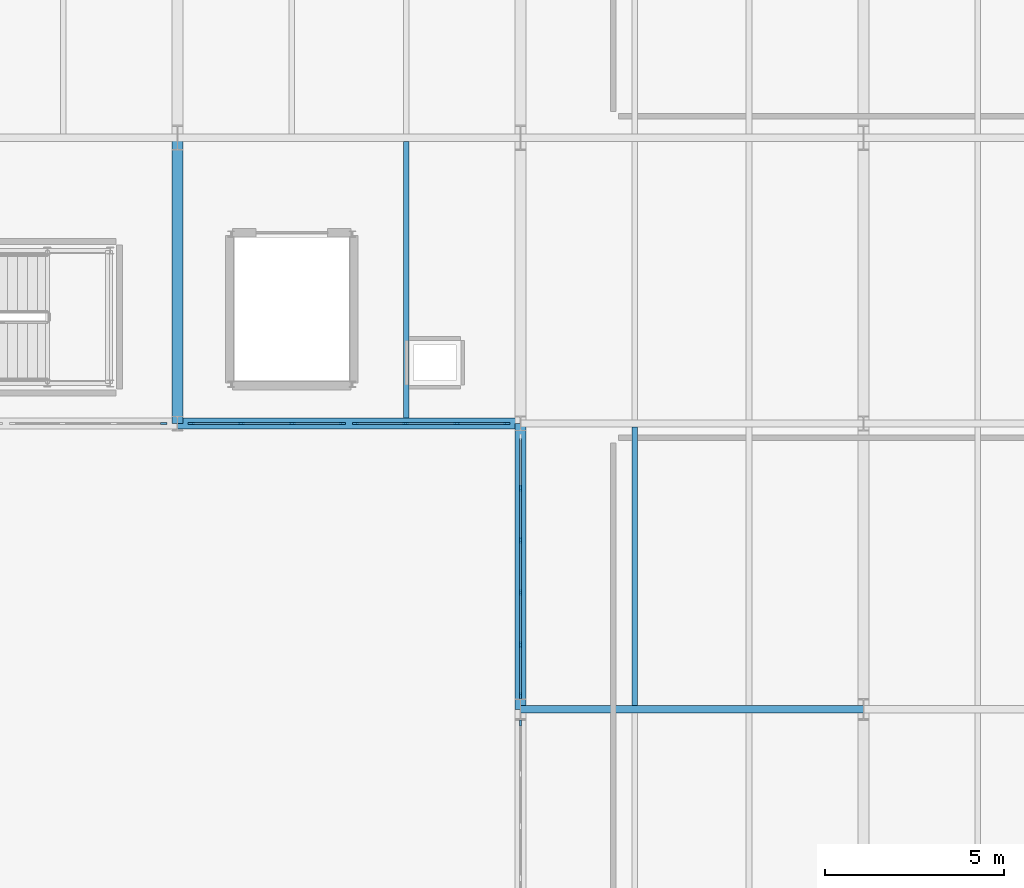
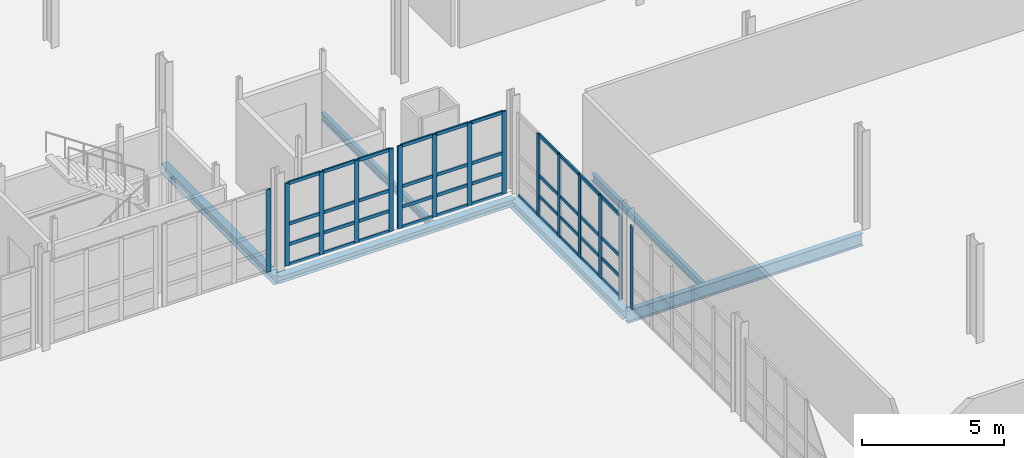
# One storey, part 45 of 78: 56 members, 6 beams, 5 elements without a shape of their own.
"""IFC4 building model written with IfcOpenShell, lengths in metres."""

import ifcopenshell
import ifcopenshell.guid

model = None  # the IFC model being written
_history = None  # IfcOwnerHistory: only IFC2X3 demands one
_inside = {}  # id of a spatial element -> (the spatial element, [elements in it])
_under = {}  # id of a project, library or spatial element -> (it, [spatial elements below it])
_declared = {}  # id of a project -> (the project, [libraries it declares])
_typed = {}  # id of a type object -> (the type object, [elements of that type])
_made_of = {}  # id of a material, layer set ... -> (it, [elements and type objects made of it])


def new_model(schema):
    """Start an empty IFC model of exactly this schema.

    Asked for "IFC4X3", IfcOpenShell would pick the latest addendum, in which some entities
    have other attributes; the version numbers below select the first issue.
    IFC2X3 requires an IfcOwnerHistory on every rooted entity: one is made here for all.
    """
    global model, _history
    if schema == "IFC4X3":
        model = ifcopenshell.file(schema_version=(4, 3, 0, 0))
    else:
        model = ifcopenshell.file(schema=schema)
    _inside.clear()
    _under.clear()
    _declared.clear()
    _typed.clear()
    _made_of.clear()
    _history = None
    if model.schema == "IFC2X3":
        org = make("IfcOrganization", Name="unknown")
        user = make(
            "IfcPersonAndOrganization",
            ThePerson=make("IfcPerson", FamilyName="unknown"),
            TheOrganization=org,
        )
        app = make(
            "IfcApplication",
            ApplicationDeveloper=org,
            Version="unknown",
            ApplicationFullName="unknown",
            ApplicationIdentifier="unknown",
        )
        _history = make(
            "IfcOwnerHistory",
            OwningUser=user,
            OwningApplication=app,
            ChangeAction="ADDED",
            CreationDate=0,
        )
    return model


def make(cls, **values):
    """One entity of the class cls with the attributes given. An attribute that is None is left unset."""
    return model.create_entity(
        cls, **{name: value for name, value in values.items() if value is not None}
    )


def rooted(cls, **values):
    """An entity with a GlobalId (a new one), such as an element, a storey or a relation."""
    return make(cls, GlobalId=ifcopenshell.guid.new(), OwnerHistory=_history, **values)


def si_unit(unit_type, name, prefix=None):
    """IfcSIUnit, for example si_unit("LENGTHUNIT", "METRE", prefix="MILLI")."""
    return make("IfcSIUnit", UnitType=unit_type, Prefix=prefix, Name=name)


def assignment(units):
    """IfcUnitAssignment: the units of a project."""
    return None if units is None else make("IfcUnitAssignment", Units=units)


def point(xyz):
    """IfcCartesianPoint."""
    return None if xyz is None else make("IfcCartesianPoint", Coordinates=xyz)


def direction(xyz):
    """IfcDirection."""
    return None if xyz is None else make("IfcDirection", DirectionRatios=xyz)


def frame(location, z_axis=None, x_axis=None):
    """IfcAxis2Placement3D, a coordinate frame: its origin and axes. An axis left out is left unset."""
    return make(
        "IfcAxis2Placement3D",
        Location=point(location),
        Axis=direction(z_axis),
        RefDirection=direction(x_axis),
    )


def frame_2d(location, x_axis=None):
    """IfcAxis2Placement2D, a coordinate frame in the plane: its origin and x axis."""
    return make(
        "IfcAxis2Placement2D", Location=point(location), RefDirection=direction(x_axis)
    )


def origin():
    """The frame at (0, 0, 0) with its axes left unset."""
    return frame((0.0, 0.0, 0.0))


def origin_2d():
    """The frame at (0, 0) in the plane with its x axis left unset."""
    return frame_2d((0.0, 0.0))


def place(relative_to, where):
    """IfcLocalPlacement: puts the frame where relative to a parent placement (None: the world)."""
    return make(
        "IfcLocalPlacement", PlacementRelTo=relative_to, RelativePlacement=where
    )


def context(
    kind, dimensions, precision=None, world=None, true_north=None, identifier=None
):
    """IfcGeometricRepresentationContext, for example the 3D "Model" context."""
    return make(
        "IfcGeometricRepresentationContext",
        ContextIdentifier=identifier,
        ContextType=kind,
        CoordinateSpaceDimension=dimensions,
        Precision=precision,
        WorldCoordinateSystem=world,
        TrueNorth=true_north,
    )


def subcontext(parent, identifier, kind, view, scale=None):
    """IfcGeometricRepresentationSubContext, for example "Body" below "Model"."""
    return make(
        "IfcGeometricRepresentationSubContext",
        ContextIdentifier=identifier,
        ContextType=kind,
        ParentContext=parent,
        TargetScale=scale,
        TargetView=view,
    )


def project(units=None, contexts=None):
    """IfcProject with its units and contexts."""
    return rooted(
        "IfcProject",
        Name="project",
        RepresentationContexts=contexts,
        UnitsInContext=assignment(units),
    )


def spatial(cls, under=None, at=None, **own):
    """A site, building, storey or space (cls), placed at a placement, below another one or the project."""
    s = rooted(cls, ObjectPlacement=at, **own)
    if under is not None:
        _under.setdefault(under.id(), (under, []))[1].append(s)
    return s


def profile(cls, at=None, kind="AREA", **sizes):
    """A parametric profile (cls). Its sizes go by their IFC names, for example OverallWidth=200.0."""
    return make(cls, ProfileType=kind, Position=at, **sizes)


def rectangle(**sizes):
    """IfcRectangleProfileDef."""
    return profile("IfcRectangleProfileDef", **sizes)


def i_section(**sizes):
    """IfcIShapeProfileDef."""
    return profile("IfcIShapeProfileDef", **sizes)


def extrude(swept, where, along, depth):
    """IfcExtrudedAreaSolid: the profile swept, set in the frame where, extruded along a direction by depth."""
    return make(
        "IfcExtrudedAreaSolid",
        SweptArea=swept,
        Position=where,
        ExtrudedDirection=direction(along),
        Depth=depth,
    )


def shape(context_of_items, identifier, shape_type, items):
    """IfcShapeRepresentation: the items that make up one representation, for example the "Body"."""
    return make(
        "IfcShapeRepresentation",
        ContextOfItems=context_of_items,
        RepresentationIdentifier=identifier,
        RepresentationType=shape_type,
        Items=items,
    )


def material(Name=None, Category=None):
    """IfcMaterial."""
    return make("IfcMaterial", Name=Name, Category=Category)


def layer(
    of_material, thickness, ventilated=None, Name=None, Category=None, Priority=None
):
    """IfcMaterialLayer: one layer of a wall or slab, of a material (None: an air gap)."""
    return make(
        "IfcMaterialLayer",
        Material=of_material,
        LayerThickness=thickness,
        IsVentilated=ventilated,
        Name=Name,
        Category=Category,
        Priority=Priority,
    )


def layer_set(layers, Name=None):
    """IfcMaterialLayerSet."""
    return make("IfcMaterialLayerSet", MaterialLayers=layers, LayerSetName=Name)


def material_profile(
    of_material, cross_section, Name=None, Category=None, Priority=None
):
    """IfcMaterialProfile: a cross section and its material."""
    return make(
        "IfcMaterialProfile",
        Name=Name,
        Material=of_material,
        Profile=cross_section,
        Priority=Priority,
        Category=Category,
    )


def profile_set(profiles, Name=None, composite=None):
    """IfcMaterialProfileSet."""
    return make(
        "IfcMaterialProfileSet",
        Name=Name,
        MaterialProfiles=profiles,
        CompositeProfile=composite,
    )


def made_of(thing, what):
    """Note that an element or type object is made of a material, layer set ...; save() writes the relation."""
    if what is not None:
        _made_of.setdefault(what.id(), (what, []))[1].append(thing)
    return thing


def type_object(cls, material=None, **own):
    """A type object (cls), such as IfcWallType, which elements share."""
    return made_of(rooted(cls, **own), material)


def element(
    cls,
    number,
    at=None,
    inside=None,
    cuts=None,
    type_object=None,
    material=None,
    context=None,
    identifier="Body",
    shape_type=None,
    held_by="IfcProductDefinitionShape",
    body=None,
    shapes=None,
    **own,
):
    """One element of the class cls, such as IfcWall. Its Tag is "e" and its number.

    at: its placement. inside: the storey or other place that contains it. cuts: it is an
    opening in that element (IfcRelVoidsElement). A single representation is given by context,
    identifier, shape_type and body (its items); several are given by shapes. held_by: the class
    of the entity that holds the representations. save() writes the other relations.
    """
    e = rooted(cls, Tag="e%d" % number, ObjectPlacement=at, **own)
    if body is not None:
        shapes = [shape(context, identifier, shape_type, body)]
    if shapes is not None:
        e.Representation = make(held_by, Representations=shapes)
    if inside is not None:
        _inside.setdefault(inside.id(), (inside, []))[1].append(e)
    if cuts is not None:
        rooted(
            "IfcRelVoidsElement", RelatingBuildingElement=cuts, RelatedOpeningElement=e
        )
    if type_object is not None:
        _typed.setdefault(type_object.id(), (type_object, []))[1].append(e)
    return made_of(e, material)


def aggregate(whole, parts):
    """IfcRelAggregates: a whole, such as a stair, and the parts it consists of."""
    return rooted("IfcRelAggregates", RelatingObject=whole, RelatedObjects=parts)


def save(model, path):
    """Write the relations noted so far, then the file.

    IfcRelAggregates (storeys below a building ...), IfcRelContainedInSpatialStructure (elements
    in a storey), IfcRelDefinesByType, IfcRelAssociatesMaterial and IfcRelDeclares: one each for
    every whole, place, type object, material and project.
    """
    for whole, parts in _under.values():
        aggregate(whole, parts)
    for where, things in _inside.values():
        rooted(
            "IfcRelContainedInSpatialStructure",
            RelatedElements=things,
            RelatingStructure=where,
        )
    for kind, things in _typed.values():
        rooted("IfcRelDefinesByType", RelatedObjects=things, RelatingType=kind)
    for what, things in _made_of.values():
        rooted("IfcRelAssociatesMaterial", RelatedObjects=things, RelatingMaterial=what)
    for by, libraries in _declared.values():
        rooted("IfcRelDeclares", RelatingContext=by, RelatedDefinitions=libraries)
    model.write(path)


model = new_model("IFC4")

# Units and contexts
model_context = context("Model", 3, precision=1e-05, world=origin(), true_north=direction((0.0, 1.0)))
body_context = subcontext(model_context, "Body", "Model", "MODEL_VIEW")
ifc_project = project(units=[si_unit("LENGTHUNIT", "METRE"), si_unit("AREAUNIT", "SQUARE_METRE"), si_unit("VOLUMEUNIT", "CUBIC_METRE"), si_unit("PLANEANGLEUNIT", "RADIAN"), si_unit("MASSUNIT", "GRAM", prefix="KILO")], contexts=[model_context])

# Site, building, storey
site_placement = place(None, origin())
site = spatial("IfcSite", under=ifc_project, at=site_placement, CompositionType="ELEMENT")
building_placement = place(site_placement, origin())
building = spatial("IfcBuilding", under=site, at=building_placement, Name="Alderhovde Museum", CompositionType="ELEMENT")
storey_placement = place(building_placement, origin())
storey = spatial("IfcBuildingStorey", under=building, at=storey_placement, Name="L00", CompositionType="ELEMENT", Elevation=0.0)

# Beams
ifc_material_1 = material(Name="Steel S355J2", Category="steel")
ifc_material_profile_1 = material_profile(ifc_material_1, i_section(OverallWidth=0.300048828125, OverallDepth=0.389892578125, WebThickness=0.010986328125, FlangeThickness=0.01904296875, FilletRadius=0.027099609375, at=origin_2d()), Name="HEA 400")
ifc_profile_set_1 = profile_set([ifc_material_profile_1], Name="Steel S355J2")
beam_type_1 = type_object("IfcBeamType", Name="BM-HEA400", PredefinedType="BEAM", material=ifc_profile_set_1)
for number, where, z_axis, x_axis, name in (
    (1, (134.39990234375, 72.0, -0.47509765625), (0.0, 1.0, 0.0), (-1.0, 0.0, 0.0), "L00 Grid Beam X=134.4 (72.0 TO 80.0)"),
    (2, (144.0, 64.0, -0.47509765625), (0.0, 1.0, 0.0), (-1.0, 0.0, 0.0), "L00 Grid Beam X=144.0 (64.0 TO 72.0)"),
):
    element("IfcBeam", number, at=place(storey_placement, frame(where, z_axis=z_axis, x_axis=x_axis)), inside=storey, type_object=beam_type_1, Name=name, PredefinedType="BEAM", context=body_context, shape_type="SweptSolid", body=[
        extrude(i_section(OverallWidth=0.300048828125, OverallDepth=0.389892578125, WebThickness=0.010986328125, FlangeThickness=0.01904296875, FilletRadius=0.027099609375, at=origin_2d()), origin(), (0.0, 0.0, 1.0), 8.0),
    ])
ifc_material_2 = material(Name="Steel S355J2", Category="steel")
ifc_material_profile_2 = material_profile(ifc_material_2, i_section(OverallWidth=0.2099609375, OverallDepth=0.550048828125, WebThickness=0.010986328125, FlangeThickness=0.01708984375, FilletRadius=0.02392578125, at=origin_2d()), Name="IPE 550")
ifc_profile_set_2 = profile_set([ifc_material_profile_2], Name="Steel S355J2")
beam_type_2 = type_object("IfcBeamType", Name="BM-IPE550", PredefinedType="BEAM", material=ifc_profile_set_2)
beam_1_placement = place(storey_placement, frame((144.0, 64.0, -0.554931640625), z_axis=(1.0, 0.0, 0.0), x_axis=(0.0, 1.0, 0.0)))
element("IfcBeam", 3, at=beam_1_placement, inside=storey, type_object=beam_type_2, Name="L00 Grid Beam Y=64.0 (144.0 TO 153.6)", PredefinedType="BEAM", context=body_context, shape_type="SweptSolid", body=[
    extrude(i_section(OverallWidth=0.2099609375, OverallDepth=0.550048828125, WebThickness=0.010986328125, FlangeThickness=0.01708984375, FilletRadius=0.02392578125, at=origin_2d()), origin(), (0.0, 0.0, 1.0), 9.60009765625),
])

# Curtain wall, member
ifc_material_3 = material(Name="Triple-Glazed Bronze-Anodised Curtain Wall", Category="glass")
ifc_layer_1 = layer(ifc_material_3, 0.179931640625)
ifc_layer_set_1 = layer_set([ifc_layer_1], Name="Triple-Glazed Bronze-Anodised Curtain Wall")
curtain_wall_type_1 = type_object("IfcCurtainWallType", Name="CW-STIC-430x356", PredefinedType="USERDEFINED", material=ifc_layer_set_1)
curtain_wall_1_placement = place(storey_placement, origin())
curtain_wall_1 = element("IfcCurtainWall", 4, at=curtain_wall_1_placement, inside=storey, type_object=curtain_wall_type_1, Name="L00 Stick Curtain Wall 135", ObjectType="STICK CURTAIN WALL", PredefinedType="USERDEFINED")
ifc_material_4 = material(Name="Bronze-Anodised Aluminium EN AW-6063-T6", Category="aluminium")
ifc_material_profile_3 = material_profile(ifc_material_4, rectangle(XDim=0.06494140625, YDim=0.179931640625, at=origin_2d()), Name="MULLION 65x180")
ifc_profile_set_3 = profile_set([ifc_material_profile_3], Name="Bronze-Anodised Aluminium EN AW-6063-T6")
member_type_1 = type_object("IfcMemberType", Name="CWM-65x180", PredefinedType="MULLION", material=ifc_profile_set_3)
member_1_placement = place(storey_placement, frame((134.017578125, 72.0, 0.0), z_axis=(0.0, 0.0, 1.0), x_axis=(0.0, 1.0, 0.0)))
member_1 = element("IfcMember", 5, at=member_1_placement, type_object=member_type_1, Name="CW31 mullion 4", PredefinedType="MULLION", context=body_context, shape_type="SweptSolid", body=[
    extrude(rectangle(XDim=0.06494140625, YDim=0.179931640625, at=origin_2d()), origin(), (0.0, 0.0, 1.0), 3.56005859375),
])
aggregate(curtain_wall_1, [member_1])

# Curtain wall, members
curtain_wall_2_placement = place(storey_placement, origin())
curtain_wall_2 = element("IfcCurtainWall", 6, at=curtain_wall_2_placement, inside=storey, type_object=curtain_wall_type_1, Name="L00 Stick Curtain Wall 137", ObjectType="STICK CURTAIN WALL", PredefinedType="USERDEFINED")
member_2_placement = place(storey_placement, frame((134.782470703125, 72.0, 0.0), z_axis=(0.0, 0.0, 1.0), x_axis=(0.0, 1.0, 0.0)))
member_2 = element("IfcMember", 7, at=member_2_placement, type_object=member_type_1, Name="CW31 mullion 1", PredefinedType="MULLION", context=body_context, shape_type="SweptSolid", body=[
    extrude(rectangle(XDim=0.06494140625, YDim=0.179931640625, at=origin_2d()), origin(), (0.0, 0.0, 1.0), 3.56005859375),
])
member_3_placement = place(storey_placement, frame((136.183349609375, 72.0, 0.0), z_axis=(0.0, 0.0, 1.0), x_axis=(0.0, 1.0, 0.0)))
member_3 = element("IfcMember", 8, at=member_3_placement, type_object=member_type_1, Name="CW31 mullion 2", PredefinedType="MULLION", context=body_context, shape_type="SweptSolid", body=[
    extrude(rectangle(XDim=0.06494140625, YDim=0.179931640625, at=origin_2d()), origin(), (0.0, 0.0, 1.0), 3.56005859375),
])
member_4_placement = place(storey_placement, frame((137.61669921875, 72.0, 0.0), z_axis=(0.0, 0.0, 1.0), x_axis=(0.0, 1.0, 0.0)))
member_4 = element("IfcMember", 9, at=member_4_placement, type_object=member_type_1, Name="CW31 mullion 3", PredefinedType="MULLION", context=body_context, shape_type="SweptSolid", body=[
    extrude(rectangle(XDim=0.06494140625, YDim=0.179931640625, at=origin_2d()), origin(), (0.0, 0.0, 1.0), 3.56005859375),
])
member_5_placement = place(storey_placement, frame((139.017578125, 72.0, 0.0), z_axis=(0.0, 0.0, 1.0), x_axis=(0.0, 1.0, 0.0)))
member_5 = element("IfcMember", 10, at=member_5_placement, type_object=member_type_1, Name="CW31 mullion 4", PredefinedType="MULLION", context=body_context, shape_type="SweptSolid", body=[
    extrude(rectangle(XDim=0.06494140625, YDim=0.179931640625, at=origin_2d()), origin(), (0.0, 0.0, 1.0), 3.56005859375),
])

curtain_wall_3_placement = place(storey_placement, origin())
curtain_wall_3 = element("IfcCurtainWall", 11, at=curtain_wall_3_placement, inside=storey, type_object=curtain_wall_type_1, Name="L00 Stick Curtain Wall 138", ObjectType="STICK CURTAIN WALL", PredefinedType="USERDEFINED")
member_6_placement = place(storey_placement, frame((139.382568359375, 72.0, 0.0), z_axis=(0.0, 0.0, 1.0), x_axis=(0.0, 1.0, 0.0)))
member_6 = element("IfcMember", 12, at=member_6_placement, type_object=member_type_1, Name="CW31 mullion 1", PredefinedType="MULLION", context=body_context, shape_type="SweptSolid", body=[
    extrude(rectangle(XDim=0.06494140625, YDim=0.179931640625, at=origin_2d()), origin(), (0.0, 0.0, 1.0), 3.56005859375),
])
member_7_placement = place(storey_placement, frame((140.783447265625, 72.0, 0.0), z_axis=(0.0, 0.0, 1.0), x_axis=(0.0, 1.0, 0.0)))
member_7 = element("IfcMember", 13, at=member_7_placement, type_object=member_type_1, Name="CW31 mullion 2", PredefinedType="MULLION", context=body_context, shape_type="SweptSolid", body=[
    extrude(rectangle(XDim=0.06494140625, YDim=0.179931640625, at=origin_2d()), origin(), (0.0, 0.0, 1.0), 3.56005859375),
])
member_8_placement = place(storey_placement, frame((142.216552734375, 72.0, 0.0), z_axis=(0.0, 0.0, 1.0), x_axis=(0.0, 1.0, 0.0)))
member_8 = element("IfcMember", 14, at=member_8_placement, type_object=member_type_1, Name="CW31 mullion 3", PredefinedType="MULLION", context=body_context, shape_type="SweptSolid", body=[
    extrude(rectangle(XDim=0.06494140625, YDim=0.179931640625, at=origin_2d()), origin(), (0.0, 0.0, 1.0), 3.56005859375),
])
member_9_placement = place(storey_placement, frame((143.617431640625, 72.0, 0.0), z_axis=(0.0, 0.0, 1.0), x_axis=(0.0, 1.0, 0.0)))
member_9 = element("IfcMember", 15, at=member_9_placement, type_object=member_type_1, Name="CW31 mullion 4", PredefinedType="MULLION", context=body_context, shape_type="SweptSolid", body=[
    extrude(rectangle(XDim=0.06494140625, YDim=0.179931640625, at=origin_2d()), origin(), (0.0, 0.0, 1.0), 3.56005859375),
])

# Curtain wall, member
ifc_material_5 = material(Name="Triple-Glazed Bronze-Anodised Curtain Wall", Category="glass")
ifc_layer_2 = layer(ifc_material_5, 0.179931640625)
ifc_layer_set_2 = layer_set([ifc_layer_2], Name="Triple-Glazed Bronze-Anodised Curtain Wall")
curtain_wall_type_2 = type_object("IfcCurtainWallType", Name="CW-STIC-730x356", PredefinedType="USERDEFINED", material=ifc_layer_set_2)
curtain_wall_4_placement = place(storey_placement, origin())
curtain_wall_4 = element("IfcCurtainWall", 16, at=curtain_wall_4_placement, inside=storey, type_object=curtain_wall_type_2, Name="L00 Stick Curtain Wall 141", ObjectType="STICK CURTAIN WALL", PredefinedType="USERDEFINED")
member_10_placement = place(storey_placement, frame((144.0, 63.617431640625, 0.0), z_axis=(0.0, 0.0, 1.0), x_axis=(-1.0, 0.0, 0.0)))
member_10 = element("IfcMember", 17, at=member_10_placement, type_object=member_type_1, Name="CW33 mullion 6", PredefinedType="MULLION", context=body_context, shape_type="SweptSolid", body=[
    extrude(rectangle(XDim=0.06494140625, YDim=0.179931640625, at=origin_2d()), origin(), (0.0, 0.0, 1.0), 3.56005859375),
])
aggregate(curtain_wall_4, [member_10])

# Curtain wall, members
curtain_wall_5_placement = place(storey_placement, origin())
curtain_wall_5 = element("IfcCurtainWall", 18, at=curtain_wall_5_placement, inside=storey, type_object=curtain_wall_type_2, Name="L00 Stick Curtain Wall 142", ObjectType="STICK CURTAIN WALL", PredefinedType="USERDEFINED")
member_11_placement = place(storey_placement, frame((144.0, 64.382568359375, 0.0), z_axis=(0.0, 0.0, 1.0), x_axis=(-1.0, 0.0, 0.0)))
member_11 = element("IfcMember", 19, at=member_11_placement, type_object=member_type_1, Name="CW33 mullion 1", PredefinedType="MULLION", context=body_context, shape_type="SweptSolid", body=[
    extrude(rectangle(XDim=0.06494140625, YDim=0.179931640625, at=origin_2d()), origin(), (0.0, 0.0, 1.0), 3.56005859375),
])
member_12_placement = place(storey_placement, frame((144.0, 65.81005859375, 0.0), z_axis=(0.0, 0.0, 1.0), x_axis=(-1.0, 0.0, 0.0)))
member_12 = element("IfcMember", 20, at=member_12_placement, type_object=member_type_1, Name="CW33 mullion 2", PredefinedType="MULLION", context=body_context, shape_type="SweptSolid", body=[
    extrude(rectangle(XDim=0.06494140625, YDim=0.179931640625, at=origin_2d()), origin(), (0.0, 0.0, 1.0), 3.56005859375),
])
member_13_placement = place(storey_placement, frame((144.0, 67.27001953125, 0.0), z_axis=(0.0, 0.0, 1.0), x_axis=(-1.0, 0.0, 0.0)))
member_13 = element("IfcMember", 21, at=member_13_placement, type_object=member_type_1, Name="CW33 mullion 3", PredefinedType="MULLION", context=body_context, shape_type="SweptSolid", body=[
    extrude(rectangle(XDim=0.06494140625, YDim=0.179931640625, at=origin_2d()), origin(), (0.0, 0.0, 1.0), 3.56005859375),
])
member_14_placement = place(storey_placement, frame((144.0, 68.72998046875, 0.0), z_axis=(0.0, 0.0, 1.0), x_axis=(-1.0, 0.0, 0.0)))
member_14 = element("IfcMember", 22, at=member_14_placement, type_object=member_type_1, Name="CW33 mullion 4", PredefinedType="MULLION", context=body_context, shape_type="SweptSolid", body=[
    extrude(rectangle(XDim=0.06494140625, YDim=0.179931640625, at=origin_2d()), origin(), (0.0, 0.0, 1.0), 3.56005859375),
])
member_15_placement = place(storey_placement, frame((144.0, 70.18994140625, 0.0), z_axis=(0.0, 0.0, 1.0), x_axis=(-1.0, 0.0, 0.0)))
member_15 = element("IfcMember", 23, at=member_15_placement, type_object=member_type_1, Name="CW33 mullion 5", PredefinedType="MULLION", context=body_context, shape_type="SweptSolid", body=[
    extrude(rectangle(XDim=0.06494140625, YDim=0.179931640625, at=origin_2d()), origin(), (0.0, 0.0, 1.0), 3.56005859375),
])

# Member
ifc_material_6 = material(Name="Bronze-Anodised Aluminium EN AW-6063-T6", Category="aluminium")
ifc_material_profile_4 = material_profile(ifc_material_6, rectangle(XDim=0.06494140625, YDim=0.139892578125, at=origin_2d()), Name="TRANSOM 65x140")
ifc_profile_set_4 = profile_set([ifc_material_profile_4], Name="Bronze-Anodised Aluminium EN AW-6063-T6")
member_type_2 = type_object("IfcMemberType", Name="CWT-65x140", PredefinedType="USERDEFINED", material=ifc_profile_set_4)
member_16_placement = place(storey_placement, frame((134.81494140625, 72.0, 0.032470703125), z_axis=(1.0, 0.0, 0.0), x_axis=(0.0, 1.0, 0.0)))
member_16 = element("IfcMember", 24, at=member_16_placement, type_object=member_type_2, Name="CW31 transom 1.1", ObjectType="TRANSOM", PredefinedType="USERDEFINED", context=body_context, shape_type="SweptSolid", body=[
    extrude(rectangle(XDim=0.06494140625, YDim=0.139892578125, at=origin_2d()), origin(), (0.0, 0.0, 1.0), 1.3359375),
])

member_17_placement = place(storey_placement, frame((134.81494140625, 72.0, 0.89990234375), z_axis=(1.0, 0.0, 0.0), x_axis=(0.0, 1.0, 0.0)))
member_17 = element("IfcMember", 25, at=member_17_placement, type_object=member_type_2, Name="CW31 transom 1.2", ObjectType="TRANSOM", PredefinedType="USERDEFINED", context=body_context, shape_type="SweptSolid", body=[
    extrude(rectangle(XDim=0.06494140625, YDim=0.139892578125, at=origin_2d()), origin(), (0.0, 0.0, 1.0), 1.3359375),
])

member_18_placement = place(storey_placement, frame((134.81494140625, 72.0, 1.780029296875), z_axis=(1.0, 0.0, 0.0), x_axis=(0.0, 1.0, 0.0)))
member_18 = element("IfcMember", 26, at=member_18_placement, type_object=member_type_2, Name="CW31 transom 1.3", ObjectType="TRANSOM", PredefinedType="USERDEFINED", context=body_context, shape_type="SweptSolid", body=[
    extrude(rectangle(XDim=0.06494140625, YDim=0.139892578125, at=origin_2d()), origin(), (0.0, 0.0, 1.0), 1.3359375),
])

member_19_placement = place(storey_placement, frame((134.81494140625, 72.0, 3.527587890625), z_axis=(1.0, 0.0, 0.0), x_axis=(0.0, 1.0, 0.0)))
member_19 = element("IfcMember", 27, at=member_19_placement, type_object=member_type_2, Name="CW31 transom 1.4", ObjectType="TRANSOM", PredefinedType="USERDEFINED", context=body_context, shape_type="SweptSolid", body=[
    extrude(rectangle(XDim=0.06494140625, YDim=0.139892578125, at=origin_2d()), origin(), (0.0, 0.0, 1.0), 1.3359375),
])

member_20_placement = place(storey_placement, frame((136.2158203125, 72.0, 0.032470703125), z_axis=(1.0, 0.0, 0.0), x_axis=(0.0, 1.0, 0.0)))
member_20 = element("IfcMember", 28, at=member_20_placement, type_object=member_type_2, Name="CW31 transom 2.1", ObjectType="TRANSOM", PredefinedType="USERDEFINED", context=body_context, shape_type="SweptSolid", body=[
    extrude(rectangle(XDim=0.06494140625, YDim=0.139892578125, at=origin_2d()), origin(), (0.0, 0.0, 1.0), 1.368408203125),
])

member_21_placement = place(storey_placement, frame((136.2158203125, 72.0, 0.89990234375), z_axis=(1.0, 0.0, 0.0), x_axis=(0.0, 1.0, 0.0)))
member_21 = element("IfcMember", 29, at=member_21_placement, type_object=member_type_2, Name="CW31 transom 2.2", ObjectType="TRANSOM", PredefinedType="USERDEFINED", context=body_context, shape_type="SweptSolid", body=[
    extrude(rectangle(XDim=0.06494140625, YDim=0.139892578125, at=origin_2d()), origin(), (0.0, 0.0, 1.0), 1.368408203125),
])

member_22_placement = place(storey_placement, frame((136.2158203125, 72.0, 1.780029296875), z_axis=(1.0, 0.0, 0.0), x_axis=(0.0, 1.0, 0.0)))
member_22 = element("IfcMember", 30, at=member_22_placement, type_object=member_type_2, Name="CW31 transom 2.3", ObjectType="TRANSOM", PredefinedType="USERDEFINED", context=body_context, shape_type="SweptSolid", body=[
    extrude(rectangle(XDim=0.06494140625, YDim=0.139892578125, at=origin_2d()), origin(), (0.0, 0.0, 1.0), 1.368408203125),
])

member_23_placement = place(storey_placement, frame((136.2158203125, 72.0, 3.527587890625), z_axis=(1.0, 0.0, 0.0), x_axis=(0.0, 1.0, 0.0)))
member_23 = element("IfcMember", 31, at=member_23_placement, type_object=member_type_2, Name="CW31 transom 2.4", ObjectType="TRANSOM", PredefinedType="USERDEFINED", context=body_context, shape_type="SweptSolid", body=[
    extrude(rectangle(XDim=0.06494140625, YDim=0.139892578125, at=origin_2d()), origin(), (0.0, 0.0, 1.0), 1.368408203125),
])

member_24_placement = place(storey_placement, frame((137.649169921875, 72.0, 0.032470703125), z_axis=(1.0, 0.0, 0.0), x_axis=(0.0, 1.0, 0.0)))
member_24 = element("IfcMember", 32, at=member_24_placement, type_object=member_type_2, Name="CW31 transom 3.1", ObjectType="TRANSOM", PredefinedType="USERDEFINED", context=body_context, shape_type="SweptSolid", body=[
    extrude(rectangle(XDim=0.06494140625, YDim=0.139892578125, at=origin_2d()), origin(), (0.0, 0.0, 1.0), 1.3359375),
])

member_25_placement = place(storey_placement, frame((137.649169921875, 72.0, 0.89990234375), z_axis=(1.0, 0.0, 0.0), x_axis=(0.0, 1.0, 0.0)))
member_25 = element("IfcMember", 33, at=member_25_placement, type_object=member_type_2, Name="CW31 transom 3.2", ObjectType="TRANSOM", PredefinedType="USERDEFINED", context=body_context, shape_type="SweptSolid", body=[
    extrude(rectangle(XDim=0.06494140625, YDim=0.139892578125, at=origin_2d()), origin(), (0.0, 0.0, 1.0), 1.3359375),
])

member_26_placement = place(storey_placement, frame((137.649169921875, 72.0, 1.780029296875), z_axis=(1.0, 0.0, 0.0), x_axis=(0.0, 1.0, 0.0)))
member_26 = element("IfcMember", 34, at=member_26_placement, type_object=member_type_2, Name="CW31 transom 3.3", ObjectType="TRANSOM", PredefinedType="USERDEFINED", context=body_context, shape_type="SweptSolid", body=[
    extrude(rectangle(XDim=0.06494140625, YDim=0.139892578125, at=origin_2d()), origin(), (0.0, 0.0, 1.0), 1.3359375),
])

member_27_placement = place(storey_placement, frame((137.649169921875, 72.0, 3.527587890625), z_axis=(1.0, 0.0, 0.0), x_axis=(0.0, 1.0, 0.0)))
member_27 = element("IfcMember", 35, at=member_27_placement, type_object=member_type_2, Name="CW31 transom 3.4", ObjectType="TRANSOM", PredefinedType="USERDEFINED", context=body_context, shape_type="SweptSolid", body=[
    extrude(rectangle(XDim=0.06494140625, YDim=0.139892578125, at=origin_2d()), origin(), (0.0, 0.0, 1.0), 1.3359375),
])

aggregate(curtain_wall_2, [member_2, member_3, member_4, member_5, member_16, member_17, member_18, member_19, member_20, member_21, member_22, member_23, member_24, member_25, member_26, member_27])

member_28_placement = place(storey_placement, frame((139.4150390625, 72.0, 0.032470703125), z_axis=(1.0, 0.0, 0.0), x_axis=(0.0, 1.0, 0.0)))
member_28 = element("IfcMember", 36, at=member_28_placement, type_object=member_type_2, Name="CW31 transom 1.1", ObjectType="TRANSOM", PredefinedType="USERDEFINED", context=body_context, shape_type="SweptSolid", body=[
    extrude(rectangle(XDim=0.06494140625, YDim=0.139892578125, at=origin_2d()), origin(), (0.0, 0.0, 1.0), 1.335693359375),
])

member_29_placement = place(storey_placement, frame((139.4150390625, 72.0, 0.89990234375), z_axis=(1.0, 0.0, 0.0), x_axis=(0.0, 1.0, 0.0)))
member_29 = element("IfcMember", 37, at=member_29_placement, type_object=member_type_2, Name="CW31 transom 1.2", ObjectType="TRANSOM", PredefinedType="USERDEFINED", context=body_context, shape_type="SweptSolid", body=[
    extrude(rectangle(XDim=0.06494140625, YDim=0.139892578125, at=origin_2d()), origin(), (0.0, 0.0, 1.0), 1.335693359375),
])

member_30_placement = place(storey_placement, frame((139.4150390625, 72.0, 1.780029296875), z_axis=(1.0, 0.0, 0.0), x_axis=(0.0, 1.0, 0.0)))
member_30 = element("IfcMember", 38, at=member_30_placement, type_object=member_type_2, Name="CW31 transom 1.3", ObjectType="TRANSOM", PredefinedType="USERDEFINED", context=body_context, shape_type="SweptSolid", body=[
    extrude(rectangle(XDim=0.06494140625, YDim=0.139892578125, at=origin_2d()), origin(), (0.0, 0.0, 1.0), 1.335693359375),
])

member_31_placement = place(storey_placement, frame((139.4150390625, 72.0, 3.527587890625), z_axis=(1.0, 0.0, 0.0), x_axis=(0.0, 1.0, 0.0)))
member_31 = element("IfcMember", 39, at=member_31_placement, type_object=member_type_2, Name="CW31 transom 1.4", ObjectType="TRANSOM", PredefinedType="USERDEFINED", context=body_context, shape_type="SweptSolid", body=[
    extrude(rectangle(XDim=0.06494140625, YDim=0.139892578125, at=origin_2d()), origin(), (0.0, 0.0, 1.0), 1.335693359375),
])

member_32_placement = place(storey_placement, frame((140.81591796875, 72.0, 0.032470703125), z_axis=(1.0, 0.0, 0.0), x_axis=(0.0, 1.0, 0.0)))
member_32 = element("IfcMember", 40, at=member_32_placement, type_object=member_type_2, Name="CW31 transom 2.1", ObjectType="TRANSOM", PredefinedType="USERDEFINED", context=body_context, shape_type="SweptSolid", body=[
    extrude(rectangle(XDim=0.06494140625, YDim=0.139892578125, at=origin_2d()), origin(), (0.0, 0.0, 1.0), 1.3681640625),
])

member_33_placement = place(storey_placement, frame((140.81591796875, 72.0, 0.89990234375), z_axis=(1.0, 0.0, 0.0), x_axis=(0.0, 1.0, 0.0)))
member_33 = element("IfcMember", 41, at=member_33_placement, type_object=member_type_2, Name="CW31 transom 2.2", ObjectType="TRANSOM", PredefinedType="USERDEFINED", context=body_context, shape_type="SweptSolid", body=[
    extrude(rectangle(XDim=0.06494140625, YDim=0.139892578125, at=origin_2d()), origin(), (0.0, 0.0, 1.0), 1.3681640625),
])

member_34_placement = place(storey_placement, frame((140.81591796875, 72.0, 1.780029296875), z_axis=(1.0, 0.0, 0.0), x_axis=(0.0, 1.0, 0.0)))
member_34 = element("IfcMember", 42, at=member_34_placement, type_object=member_type_2, Name="CW31 transom 2.3", ObjectType="TRANSOM", PredefinedType="USERDEFINED", context=body_context, shape_type="SweptSolid", body=[
    extrude(rectangle(XDim=0.06494140625, YDim=0.139892578125, at=origin_2d()), origin(), (0.0, 0.0, 1.0), 1.3681640625),
])

member_35_placement = place(storey_placement, frame((140.81591796875, 72.0, 3.527587890625), z_axis=(1.0, 0.0, 0.0), x_axis=(0.0, 1.0, 0.0)))
member_35 = element("IfcMember", 43, at=member_35_placement, type_object=member_type_2, Name="CW31 transom 2.4", ObjectType="TRANSOM", PredefinedType="USERDEFINED", context=body_context, shape_type="SweptSolid", body=[
    extrude(rectangle(XDim=0.06494140625, YDim=0.139892578125, at=origin_2d()), origin(), (0.0, 0.0, 1.0), 1.3681640625),
])

member_36_placement = place(storey_placement, frame((142.249267578125, 72.0, 0.032470703125), z_axis=(1.0, 0.0, 0.0), x_axis=(0.0, 1.0, 0.0)))
member_36 = element("IfcMember", 44, at=member_36_placement, type_object=member_type_2, Name="CW31 transom 3.1", ObjectType="TRANSOM", PredefinedType="USERDEFINED", context=body_context, shape_type="SweptSolid", body=[
    extrude(rectangle(XDim=0.06494140625, YDim=0.139892578125, at=origin_2d()), origin(), (0.0, 0.0, 1.0), 1.335693359375),
])

member_37_placement = place(storey_placement, frame((142.249267578125, 72.0, 0.89990234375), z_axis=(1.0, 0.0, 0.0), x_axis=(0.0, 1.0, 0.0)))
member_37 = element("IfcMember", 45, at=member_37_placement, type_object=member_type_2, Name="CW31 transom 3.2", ObjectType="TRANSOM", PredefinedType="USERDEFINED", context=body_context, shape_type="SweptSolid", body=[
    extrude(rectangle(XDim=0.06494140625, YDim=0.139892578125, at=origin_2d()), origin(), (0.0, 0.0, 1.0), 1.335693359375),
])

member_38_placement = place(storey_placement, frame((142.249267578125, 72.0, 1.780029296875), z_axis=(1.0, 0.0, 0.0), x_axis=(0.0, 1.0, 0.0)))
member_38 = element("IfcMember", 46, at=member_38_placement, type_object=member_type_2, Name="CW31 transom 3.3", ObjectType="TRANSOM", PredefinedType="USERDEFINED", context=body_context, shape_type="SweptSolid", body=[
    extrude(rectangle(XDim=0.06494140625, YDim=0.139892578125, at=origin_2d()), origin(), (0.0, 0.0, 1.0), 1.335693359375),
])

member_39_placement = place(storey_placement, frame((142.249267578125, 72.0, 3.527587890625), z_axis=(1.0, 0.0, 0.0), x_axis=(0.0, 1.0, 0.0)))
member_39 = element("IfcMember", 47, at=member_39_placement, type_object=member_type_2, Name="CW31 transom 3.4", ObjectType="TRANSOM", PredefinedType="USERDEFINED", context=body_context, shape_type="SweptSolid", body=[
    extrude(rectangle(XDim=0.06494140625, YDim=0.139892578125, at=origin_2d()), origin(), (0.0, 0.0, 1.0), 1.335693359375),
])

aggregate(curtain_wall_3, [member_6, member_7, member_8, member_9, member_28, member_29, member_30, member_31, member_32, member_33, member_34, member_35, member_36, member_37, member_38, member_39])

member_40_placement = place(storey_placement, frame((144.0, 64.4150390625, 0.032470703125), z_axis=(0.0, 1.0, 0.0), x_axis=(-1.0, 0.0, 0.0)))
member_40 = element("IfcMember", 48, at=member_40_placement, type_object=member_type_2, Name="CW33 transom 1.1", ObjectType="TRANSOM", PredefinedType="USERDEFINED", context=body_context, shape_type="SweptSolid", body=[
    extrude(rectangle(XDim=0.06494140625, YDim=0.139892578125, at=origin_2d()), origin(), (0.0, 0.0, 1.0), 1.362548828125),
])

member_41_placement = place(storey_placement, frame((144.0, 64.4150390625, 0.89990234375), z_axis=(0.0, 1.0, 0.0), x_axis=(-1.0, 0.0, 0.0)))
member_41 = element("IfcMember", 49, at=member_41_placement, type_object=member_type_2, Name="CW33 transom 1.2", ObjectType="TRANSOM", PredefinedType="USERDEFINED", context=body_context, shape_type="SweptSolid", body=[
    extrude(rectangle(XDim=0.06494140625, YDim=0.139892578125, at=origin_2d()), origin(), (0.0, 0.0, 1.0), 1.362548828125),
])

member_42_placement = place(storey_placement, frame((144.0, 64.4150390625, 1.780029296875), z_axis=(0.0, 1.0, 0.0), x_axis=(-1.0, 0.0, 0.0)))
member_42 = element("IfcMember", 50, at=member_42_placement, type_object=member_type_2, Name="CW33 transom 1.3", ObjectType="TRANSOM", PredefinedType="USERDEFINED", context=body_context, shape_type="SweptSolid", body=[
    extrude(rectangle(XDim=0.06494140625, YDim=0.139892578125, at=origin_2d()), origin(), (0.0, 0.0, 1.0), 1.362548828125),
])

member_43_placement = place(storey_placement, frame((144.0, 64.4150390625, 3.527587890625), z_axis=(0.0, 1.0, 0.0), x_axis=(-1.0, 0.0, 0.0)))
member_43 = element("IfcMember", 51, at=member_43_placement, type_object=member_type_2, Name="CW33 transom 1.4", ObjectType="TRANSOM", PredefinedType="USERDEFINED", context=body_context, shape_type="SweptSolid", body=[
    extrude(rectangle(XDim=0.06494140625, YDim=0.139892578125, at=origin_2d()), origin(), (0.0, 0.0, 1.0), 1.362548828125),
])

member_44_placement = place(storey_placement, frame((144.0, 65.842529296875, 0.032470703125), z_axis=(0.0, 1.0, 0.0), x_axis=(-1.0, 0.0, 0.0)))
member_44 = element("IfcMember", 52, at=member_44_placement, type_object=member_type_2, Name="CW33 transom 2.1", ObjectType="TRANSOM", PredefinedType="USERDEFINED", context=body_context, shape_type="SweptSolid", body=[
    extrude(rectangle(XDim=0.06494140625, YDim=0.139892578125, at=origin_2d()), origin(), (0.0, 0.0, 1.0), 1.39501953125),
])

member_45_placement = place(storey_placement, frame((144.0, 65.842529296875, 0.89990234375), z_axis=(0.0, 1.0, 0.0), x_axis=(-1.0, 0.0, 0.0)))
member_45 = element("IfcMember", 53, at=member_45_placement, type_object=member_type_2, Name="CW33 transom 2.2", ObjectType="TRANSOM", PredefinedType="USERDEFINED", context=body_context, shape_type="SweptSolid", body=[
    extrude(rectangle(XDim=0.06494140625, YDim=0.139892578125, at=origin_2d()), origin(), (0.0, 0.0, 1.0), 1.39501953125),
])

member_46_placement = place(storey_placement, frame((144.0, 65.842529296875, 1.780029296875), z_axis=(0.0, 1.0, 0.0), x_axis=(-1.0, 0.0, 0.0)))
member_46 = element("IfcMember", 54, at=member_46_placement, type_object=member_type_2, Name="CW33 transom 2.3", ObjectType="TRANSOM", PredefinedType="USERDEFINED", context=body_context, shape_type="SweptSolid", body=[
    extrude(rectangle(XDim=0.06494140625, YDim=0.139892578125, at=origin_2d()), origin(), (0.0, 0.0, 1.0), 1.39501953125),
])

member_47_placement = place(storey_placement, frame((144.0, 65.842529296875, 3.527587890625), z_axis=(0.0, 1.0, 0.0), x_axis=(-1.0, 0.0, 0.0)))
member_47 = element("IfcMember", 55, at=member_47_placement, type_object=member_type_2, Name="CW33 transom 2.4", ObjectType="TRANSOM", PredefinedType="USERDEFINED", context=body_context, shape_type="SweptSolid", body=[
    extrude(rectangle(XDim=0.06494140625, YDim=0.139892578125, at=origin_2d()), origin(), (0.0, 0.0, 1.0), 1.39501953125),
])

member_48_placement = place(storey_placement, frame((144.0, 67.302490234375, 0.032470703125), z_axis=(0.0, 1.0, 0.0), x_axis=(-1.0, 0.0, 0.0)))
member_48 = element("IfcMember", 56, at=member_48_placement, type_object=member_type_2, Name="CW33 transom 3.1", ObjectType="TRANSOM", PredefinedType="USERDEFINED", context=body_context, shape_type="SweptSolid", body=[
    extrude(rectangle(XDim=0.06494140625, YDim=0.139892578125, at=origin_2d()), origin(), (0.0, 0.0, 1.0), 1.39501953125),
])

member_49_placement = place(storey_placement, frame((144.0, 67.302490234375, 0.89990234375), z_axis=(0.0, 1.0, 0.0), x_axis=(-1.0, 0.0, 0.0)))
member_49 = element("IfcMember", 57, at=member_49_placement, type_object=member_type_2, Name="CW33 transom 3.2", ObjectType="TRANSOM", PredefinedType="USERDEFINED", context=body_context, shape_type="SweptSolid", body=[
    extrude(rectangle(XDim=0.06494140625, YDim=0.139892578125, at=origin_2d()), origin(), (0.0, 0.0, 1.0), 1.39501953125),
])

member_50_placement = place(storey_placement, frame((144.0, 67.302490234375, 1.780029296875), z_axis=(0.0, 1.0, 0.0), x_axis=(-1.0, 0.0, 0.0)))
member_50 = element("IfcMember", 58, at=member_50_placement, type_object=member_type_2, Name="CW33 transom 3.3", ObjectType="TRANSOM", PredefinedType="USERDEFINED", context=body_context, shape_type="SweptSolid", body=[
    extrude(rectangle(XDim=0.06494140625, YDim=0.139892578125, at=origin_2d()), origin(), (0.0, 0.0, 1.0), 1.39501953125),
])

member_51_placement = place(storey_placement, frame((144.0, 67.302490234375, 3.527587890625), z_axis=(0.0, 1.0, 0.0), x_axis=(-1.0, 0.0, 0.0)))
member_51 = element("IfcMember", 59, at=member_51_placement, type_object=member_type_2, Name="CW33 transom 3.4", ObjectType="TRANSOM", PredefinedType="USERDEFINED", context=body_context, shape_type="SweptSolid", body=[
    extrude(rectangle(XDim=0.06494140625, YDim=0.139892578125, at=origin_2d()), origin(), (0.0, 0.0, 1.0), 1.39501953125),
])

member_52_placement = place(storey_placement, frame((144.0, 68.762451171875, 0.032470703125), z_axis=(0.0, 1.0, 0.0), x_axis=(-1.0, 0.0, 0.0)))
member_52 = element("IfcMember", 60, at=member_52_placement, type_object=member_type_2, Name="CW33 transom 4.1", ObjectType="TRANSOM", PredefinedType="USERDEFINED", context=body_context, shape_type="SweptSolid", body=[
    extrude(rectangle(XDim=0.06494140625, YDim=0.139892578125, at=origin_2d()), origin(), (0.0, 0.0, 1.0), 1.39501953125),
])

member_53_placement = place(storey_placement, frame((144.0, 68.762451171875, 0.89990234375), z_axis=(0.0, 1.0, 0.0), x_axis=(-1.0, 0.0, 0.0)))
member_53 = element("IfcMember", 61, at=member_53_placement, type_object=member_type_2, Name="CW33 transom 4.2", ObjectType="TRANSOM", PredefinedType="USERDEFINED", context=body_context, shape_type="SweptSolid", body=[
    extrude(rectangle(XDim=0.06494140625, YDim=0.139892578125, at=origin_2d()), origin(), (0.0, 0.0, 1.0), 1.39501953125),
])

member_54_placement = place(storey_placement, frame((144.0, 68.762451171875, 1.780029296875), z_axis=(0.0, 1.0, 0.0), x_axis=(-1.0, 0.0, 0.0)))
member_54 = element("IfcMember", 62, at=member_54_placement, type_object=member_type_2, Name="CW33 transom 4.3", ObjectType="TRANSOM", PredefinedType="USERDEFINED", context=body_context, shape_type="SweptSolid", body=[
    extrude(rectangle(XDim=0.06494140625, YDim=0.139892578125, at=origin_2d()), origin(), (0.0, 0.0, 1.0), 1.39501953125),
])

member_55_placement = place(storey_placement, frame((144.0, 68.762451171875, 3.527587890625), z_axis=(0.0, 1.0, 0.0), x_axis=(-1.0, 0.0, 0.0)))
member_55 = element("IfcMember", 63, at=member_55_placement, type_object=member_type_2, Name="CW33 transom 4.4", ObjectType="TRANSOM", PredefinedType="USERDEFINED", context=body_context, shape_type="SweptSolid", body=[
    extrude(rectangle(XDim=0.06494140625, YDim=0.139892578125, at=origin_2d()), origin(), (0.0, 0.0, 1.0), 1.39501953125),
])

member_56_placement = place(storey_placement, frame((144.0, 70.222412109375, 0.032470703125), z_axis=(0.0, 1.0, 0.0), x_axis=(-1.0, 0.0, 0.0)))
member_56 = element("IfcMember", 64, at=member_56_placement, type_object=member_type_2, Name="CW33 transom 5.1", ObjectType="TRANSOM", PredefinedType="USERDEFINED", context=body_context, shape_type="SweptSolid", body=[
    extrude(rectangle(XDim=0.06494140625, YDim=0.139892578125, at=origin_2d()), origin(), (0.0, 0.0, 1.0), 1.362548828125),
])

aggregate(curtain_wall_5, [member_11, member_12, member_13, member_14, member_15, member_40, member_41, member_42, member_43, member_44, member_45, member_46, member_47, member_48, member_49, member_50, member_51, member_52, member_53, member_54, member_55, member_56])

# Beams
ifc_material_7 = material(Name="Steel S355J2", Category="steel")
ifc_material_profile_5 = material_profile(ifc_material_7, i_section(OverallWidth=0.159912109375, OverallDepth=0.330078125, WebThickness=0.007568359375, FlangeThickness=0.011474609375, FilletRadius=0.01806640625, at=origin_2d()), Name="IPE 330")
ifc_profile_set_5 = profile_set([ifc_material_profile_5], Name="Steel S355J2")
beam_type_3 = type_object("IfcBeamType", Name="JST-IPE330", PredefinedType="JOIST", material=ifc_profile_set_5)
beam_2_placement = place(storey_placement, frame((140.800048828125, 72.14990234375, -0.445068359375), z_axis=(0.0, 1.0, 0.0), x_axis=(-1.0, 0.0, 0.0)))
element("IfcBeam", 65, at=beam_2_placement, inside=storey, type_object=beam_type_3, Name="L00 Composite Joist X=140.8 (72.0 TO 80.0)", PredefinedType="JOIST", context=body_context, shape_type="SweptSolid", body=[
    extrude(i_section(OverallWidth=0.159912109375, OverallDepth=0.330078125, WebThickness=0.007568359375, FlangeThickness=0.011474609375, FilletRadius=0.01806640625, at=origin_2d()), origin(), (0.0, 0.0, 1.0), 7.7451171875),
])
beam_3_placement = place(storey_placement, frame((147.199951171875, 64.10498046875, -0.445068359375), z_axis=(0.0, 1.0, 0.0), x_axis=(-1.0, 0.0, 0.0)))
element("IfcBeam", 66, at=beam_3_placement, inside=storey, type_object=beam_type_3, Name="L00 Composite Joist X=147.2 (64.0 TO 72.0)", PredefinedType="JOIST", context=body_context, shape_type="SweptSolid", body=[
    extrude(i_section(OverallWidth=0.159912109375, OverallDepth=0.330078125, WebThickness=0.007568359375, FlangeThickness=0.011474609375, FilletRadius=0.01806640625, at=origin_2d()), origin(), (0.0, 0.0, 1.0), 7.794921875),
])
ifc_material_8 = material(Name="Steel S355J2", Category="steel")
ifc_material_profile_6 = material_profile(ifc_material_8, i_section(OverallWidth=0.300048828125, OverallDepth=0.2900390625, WebThickness=0.008544921875, FlangeThickness=0.013916015625, FilletRadius=0.027099609375, at=origin_2d()), Name="HEA 300")
ifc_profile_set_6 = profile_set([ifc_material_profile_6], Name="Steel S355J2")
beam_type_4 = type_object("IfcBeamType", Name="SPD-HEA300", PredefinedType="SPANDREL", material=ifc_profile_set_6)
beam_4_placement = place(storey_placement, frame((134.39990234375, 72.0, -0.425048828125), z_axis=(1.0, 0.0, 0.0), x_axis=(0.0, 1.0, 0.0)))
element("IfcBeam", 67, at=beam_4_placement, inside=storey, type_object=beam_type_4, Name="L00 Grid Beam Y=72.0 (134.4 TO 144.0)", PredefinedType="SPANDREL", context=body_context, shape_type="SweptSolid", body=[
    extrude(i_section(OverallWidth=0.300048828125, OverallDepth=0.2900390625, WebThickness=0.008544921875, FlangeThickness=0.013916015625, FilletRadius=0.027099609375, at=origin_2d()), origin(), (0.0, 0.0, 1.0), 9.60009765625),
])

save(model, "model.ifc")
